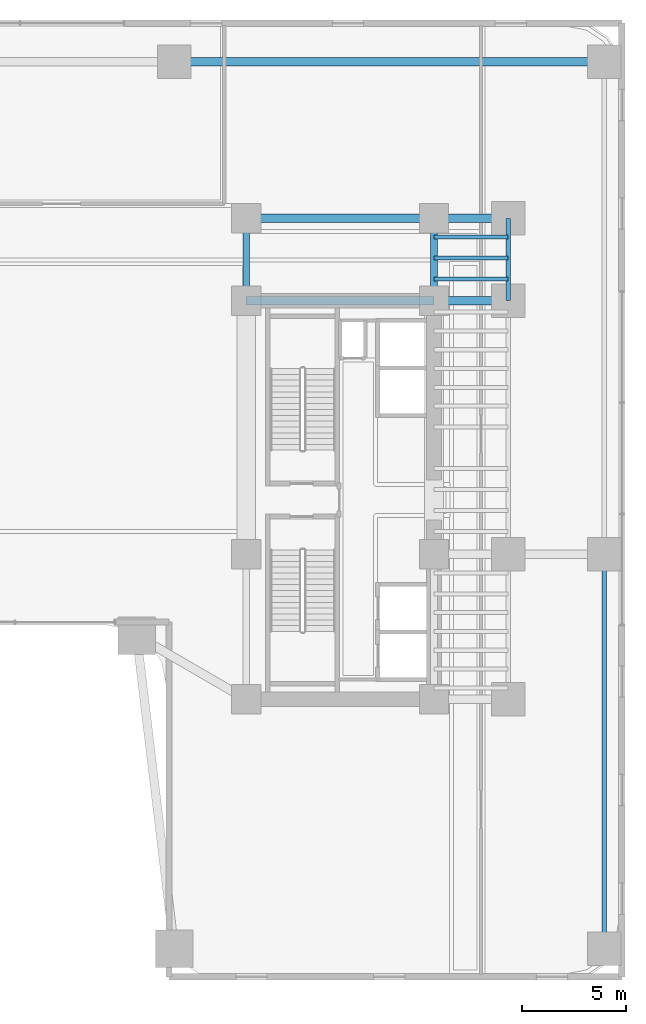
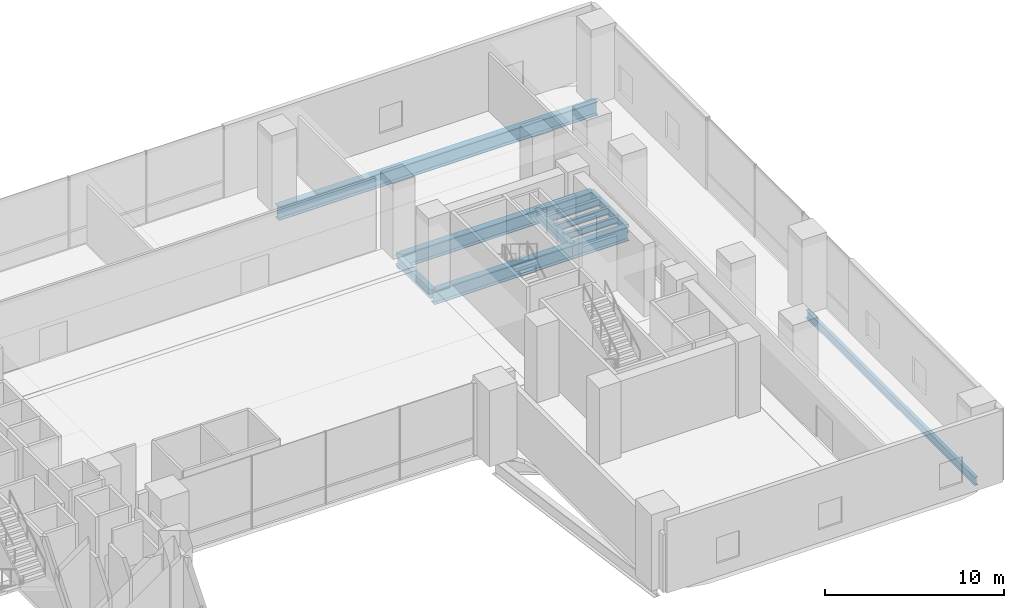
# One storey, part 19 of 39: 12 beams.
"""IFC4 building model written with IfcOpenShell, lengths in metres."""

from ifc_helpers import new_model, si_unit, direction, frame, origin, origin_2d, place, context, subcontext, project, spatial, i_section, extrude, source, transform, mapped, material, material_profile, profile_set, type_object, element, save


model = new_model("IFC4")

# Units and contexts
model_context = context("Model", 3, precision=1e-05, world=origin(), true_north=direction((0.0, 1.0)))
body_context = subcontext(model_context, "Body", "Model", "MODEL_VIEW")
ifc_project = project(units=[si_unit("LENGTHUNIT", "METRE"), si_unit("AREAUNIT", "SQUARE_METRE"), si_unit("VOLUMEUNIT", "CUBIC_METRE"), si_unit("PLANEANGLEUNIT", "RADIAN"), si_unit("MASSUNIT", "GRAM", prefix="KILO")], contexts=[model_context])

# Site, building, storey
site_placement = place(None, origin())
site = spatial("IfcSite", under=ifc_project, at=site_placement, CompositionType="ELEMENT")
building_placement = place(site_placement, origin())
building = spatial("IfcBuilding", under=site, at=building_placement, Name="Valdorenza Pilgrim Sanctuary Tower", CompositionType="ELEMENT")
storey_placement = place(building_placement, frame((0.0, 0.0, 5.199951171875)))
storey = spatial("IfcBuildingStorey", under=building, at=storey_placement, Name="L01", CompositionType="ELEMENT", Elevation=5.199951171875)

# Beams
ifc_material = material(Name="Steel ASTM A992 Grade 50", Category="steel")
ifc_material_profile_1 = material_profile(ifc_material, i_section(OverallWidth=0.423095703125, OverallDepth=0.947998046875, WebThickness=0.02392578125, FlangeThickness=0.042724609375, at=origin_2d()), Name="W36X302")
ifc_profile_set_1 = profile_set([ifc_material_profile_1], Name="Steel ASTM A992 Grade 50")
beam_type_1 = type_object("IfcBeamType", Name="STR-BM-GRD-W36A", PredefinedType="BEAM", material=ifc_profile_set_1)
shared_shape_1 = source(origin(), body_context, "Body", "SweptSolid", [
    extrude(i_section(OverallWidth=0.423095703125, OverallDepth=0.947998046875, WebThickness=0.02392578125, FlangeThickness=0.042724609375, at=origin_2d()), origin(), (0.0, 0.0, 1.0), 9.0),
])
for number, where, z_axis, x_axis, name in (
    (1, (15.85009765625, 9.550048828125, -0.75390625), (1.0, 0.0, 0.0), (0.0, 1.0, 0.0), "L01 Floor Girder CB-XC-N1"),
    (2, (15.85009765625, 13.5, -0.75390625), (1.0, 0.0, 0.0), (0.0, 1.0, 0.0), "L01 Floor Girder CB-XC-N2"),
):
    element("IfcBeam", number, at=place(storey_placement, frame(where, z_axis=z_axis, x_axis=x_axis)), inside=storey, type_object=beam_type_1, Name=name, PredefinedType="BEAM", context=body_context, shape_type="MappedRepresentation", body=[
        mapped(shared_shape_1, transform((0.0, 0.0, 0.0), x_axis=(1.0, 0.0, 0.0), y_axis=(0.0, 1.0, 0.0), z_axis=(0.0, 0.0, 1.0), scale=1.0)),
    ])
shared_shape_2 = source(origin(), body_context, "Body", "SweptSolid", [
    extrude(i_section(OverallWidth=0.423095703125, OverallDepth=0.947998046875, WebThickness=0.02392578125, FlangeThickness=0.042724609375, at=origin_2d()), origin(), (0.0, 0.0, 1.0), 3.5498046875),
])
for number, where, z_axis, x_axis, name in (
    (3, (24.85009765625, 9.550048828125, -0.75390625), (1.0, 0.0, 0.0), (0.0, 1.0, 0.0), "L01 Floor Girder WB-XE-N1"),
    (4, (24.85009765625, 13.5, -0.75390625), (1.0, 0.0, 0.0), (0.0, 1.0, 0.0), "L01 Floor Girder WB-XE-N2"),
):
    element("IfcBeam", number, at=place(storey_placement, frame(where, z_axis=z_axis, x_axis=x_axis)), inside=storey, type_object=beam_type_1, Name=name, PredefinedType="BEAM", context=body_context, shape_type="MappedRepresentation", body=[
        mapped(shared_shape_2, transform((0.0, 0.0, 0.0), x_axis=(1.0, 0.0, 0.0), y_axis=(0.0, 1.0, 0.0), z_axis=(0.0, 0.0, 1.0), scale=1.0)),
    ])
ifc_material_profile_2 = material_profile(ifc_material, i_section(OverallWidth=0.323974609375, OverallDepth=0.611083984375, WebThickness=0.0126953125, FlangeThickness=0.01904296875, at=origin_2d()), Name="W24X104")
ifc_profile_set_2 = profile_set([ifc_material_profile_2], Name="Steel ASTM A992 Grade 50")
beam_type_2 = type_object("IfcBeamType", Name="STR-BM-GRD-W24B", PredefinedType="BEAM", material=ifc_profile_set_2)
shared_shape_3 = source(origin(), body_context, "Body", "SweptSolid", [
    extrude(i_section(OverallWidth=0.323974609375, OverallDepth=0.611083984375, WebThickness=0.0126953125, FlangeThickness=0.01904296875, at=origin_2d()), origin(), (0.0, 0.0, 1.0), 3.949951171875),
])
for number, where, z_axis, x_axis, name in (
    (5, (15.85009765625, 9.550048828125, -0.58544921875), (0.0, 1.0, 0.0), (-1.0, 0.0, 0.0), "L01 Core Tie Girder CB-W-N1N2"),
    (6, (24.85009765625, 9.550048828125, -0.58544921875), (0.0, 1.0, 0.0), (-1.0, 0.0, 0.0), "L01 Core Tie Girder CB-E-N1N2"),
):
    element("IfcBeam", number, at=place(storey_placement, frame(where, z_axis=z_axis, x_axis=x_axis)), inside=storey, type_object=beam_type_2, Name=name, PredefinedType="BEAM", context=body_context, shape_type="MappedRepresentation", body=[
        mapped(shared_shape_3, transform((0.0, 0.0, 0.0), x_axis=(1.0, 0.0, 0.0), y_axis=(0.0, 1.0, 0.0), z_axis=(0.0, 0.0, 1.0), scale=1.0)),
    ])
ifc_material_profile_3 = material_profile(ifc_material, i_section(OverallWidth=0.214111328125, OverallDepth=0.549072265625, WebThickness=0.0146484375, FlangeThickness=0.023681640625, at=origin_2d()), Name="W21X93")
ifc_profile_set_3 = profile_set([ifc_material_profile_3], Name="Steel ASTM A992 Grade 50")
beam_type_3 = type_object("IfcBeamType", Name="STR-BM-SPN-W21A", PredefinedType="SPANDREL", material=ifc_profile_set_3)
shared_shape_4 = source(origin(), body_context, "Body", "SweptSolid", [
    extrude(i_section(OverallWidth=0.214111328125, OverallDepth=0.549072265625, WebThickness=0.0146484375, FlangeThickness=0.023681640625, at=origin_2d()), origin(), (0.0, 0.0, 1.0), 3.949951171875),
])
beam_1_placement = place(storey_placement, frame((28.39990234375, 9.550048828125, -0.554443359375), z_axis=(0.0, 1.0, 0.0), x_axis=(-1.0, 0.0, 0.0)))
element("IfcBeam", 7, at=beam_1_placement, inside=storey, type_object=beam_type_3, Name="L01 Spandrel Beam WB-E-N1N2", PredefinedType="SPANDREL", context=body_context, shape_type="MappedRepresentation", body=[
    mapped(shared_shape_4, transform((0.0, 0.0, 0.0), x_axis=(1.0, 0.0, 0.0), y_axis=(0.0, 1.0, 0.0), z_axis=(0.0, 0.0, 1.0), scale=1.0)),
])
ifc_material_profile_4 = material_profile(ifc_material, i_section(OverallWidth=0.193115234375, OverallDepth=0.466064453125, WebThickness=0.011474609375, FlangeThickness=0.01904296875, at=origin_2d()), Name="W18X65")
ifc_profile_set_4 = profile_set([ifc_material_profile_4], Name="Steel ASTM A992 Grade 50")
beam_type_4 = type_object("IfcBeamType", Name="STR-BM-JST-W18A", PredefinedType="JOIST", material=ifc_profile_set_4)
shared_shape_5 = source(origin(), body_context, "Body", "SweptSolid", [
    extrude(i_section(OverallWidth=0.193115234375, OverallDepth=0.466064453125, WebThickness=0.011474609375, FlangeThickness=0.01904296875, at=origin_2d()), origin(), (0.0, 0.0, 1.0), 3.5498046875),
])
for number, where, z_axis, x_axis, name in (
    (8, (24.85009765625, 10.60009765625, -0.512939453125), (1.0, 0.0, 0.0), (0.0, 1.0, 0.0), "L01 Composite Floor Joist JST-WB-19"),
    (9, (24.85009765625, 11.60009765625, -0.512939453125), (1.0, 0.0, 0.0), (0.0, 1.0, 0.0), "L01 Composite Floor Joist JST-WB-20"),
    (10, (24.85009765625, 12.60009765625, -0.512939453125), (1.0, 0.0, 0.0), (0.0, 1.0, 0.0), "L01 Composite Floor Joist JST-WB-21"),
):
    element("IfcBeam", number, at=place(storey_placement, frame(where, z_axis=z_axis, x_axis=x_axis)), inside=storey, type_object=beam_type_4, Name=name, PredefinedType="JOIST", context=body_context, shape_type="MappedRepresentation", body=[
        mapped(shared_shape_5, transform((0.0, 0.0, 0.0), x_axis=(1.0, 0.0, 0.0), y_axis=(0.0, 1.0, 0.0), z_axis=(0.0, 0.0, 1.0), scale=1.0)),
    ])
shared_shape_6 = source(origin(), body_context, "Body", "SweptSolid", [
    extrude(i_section(OverallWidth=0.214111328125, OverallDepth=0.549072265625, WebThickness=0.0146484375, FlangeThickness=0.023681640625, at=origin_2d()), origin(), (0.0, 0.0, 1.0), 18.89990234375),
])
beam_2_placement = place(storey_placement, frame((33.0, -21.5, -0.554443359375), z_axis=(0.0, 1.0, 0.0), x_axis=(-1.0, 0.0, 0.0)))
element("IfcBeam", 11, at=beam_2_placement, inside=storey, type_object=beam_type_3, Name="L01 Floor Girder POD-SPN-ES", PredefinedType="SPANDREL", context=body_context, shape_type="MappedRepresentation", body=[
    mapped(shared_shape_6, transform((0.0, 0.0, 0.0), x_axis=(1.0, 0.0, 0.0), y_axis=(0.0, 1.0, 0.0), z_axis=(0.0, 0.0, 1.0), scale=1.0)),
])
shared_shape_7 = source(origin(), body_context, "Body", "SweptSolid", [
    extrude(i_section(OverallWidth=0.423095703125, OverallDepth=0.947998046875, WebThickness=0.02392578125, FlangeThickness=0.042724609375, at=origin_2d()), origin(), (0.0, 0.0, 1.0), 20.60009765625),
])
beam_3_placement = place(storey_placement, frame((12.39990234375, 21.0, -0.75390625), z_axis=(1.0, 0.0, 0.0), x_axis=(0.0, 1.0, 0.0)))
element("IfcBeam", 12, at=beam_3_placement, inside=storey, type_object=beam_type_1, Name="L01 Floor Girder POD-N-TIE3", PredefinedType="BEAM", context=body_context, shape_type="MappedRepresentation", body=[
    mapped(shared_shape_7, transform((0.0, 0.0, 0.0), x_axis=(1.0, 0.0, 0.0), y_axis=(0.0, 1.0, 0.0), z_axis=(0.0, 0.0, 1.0), scale=1.0)),
])

save(model, "model.ifc")
